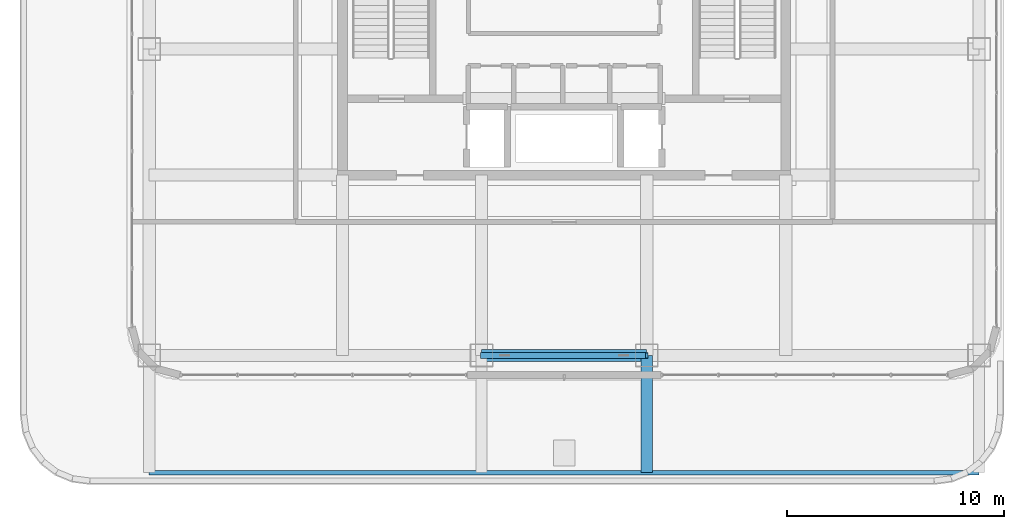
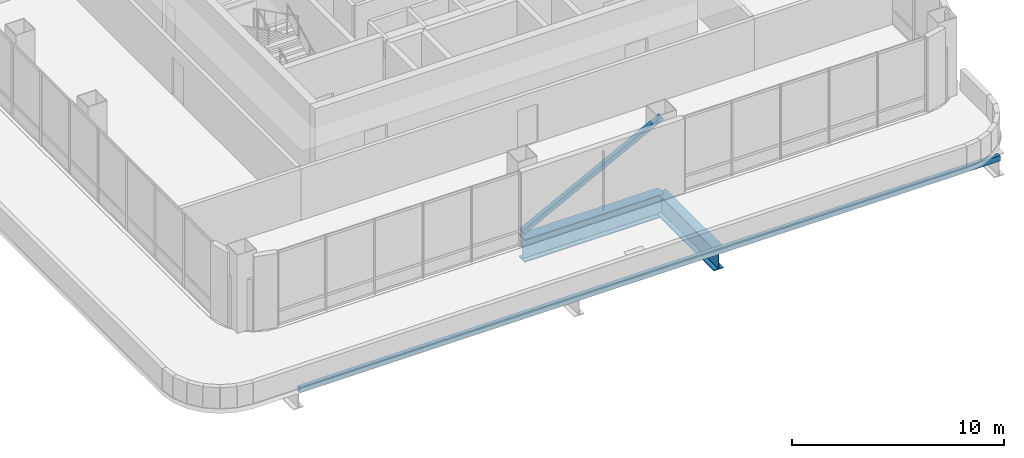
# One storey, part 6 of 33: 3 beams, 1 member.
"""IFC4 building model written with IfcOpenShell, lengths in metres."""

from ifc_helpers import new_model, si_unit, direction, frame, origin, origin_2d, place, context, subcontext, project, spatial, hollow_rectangle, i_section, extrude, material, material_profile, profile_set, type_object, element, save


model = new_model("IFC4")

# Units and contexts
model_context = context("Model", 3, precision=1e-05, world=origin(), true_north=direction((0.0, 1.0)))
body_context = subcontext(model_context, "Body", "Model", "MODEL_VIEW")
ifc_project = project(units=[si_unit("LENGTHUNIT", "METRE"), si_unit("AREAUNIT", "SQUARE_METRE"), si_unit("VOLUMEUNIT", "CUBIC_METRE"), si_unit("PLANEANGLEUNIT", "RADIAN"), si_unit("MASSUNIT", "GRAM", prefix="KILO")], contexts=[model_context])

# Site, building, storey
site_placement = place(None, origin())
site = spatial("IfcSite", under=ifc_project, at=site_placement, CompositionType="ELEMENT")
building_placement = place(site_placement, origin())
building = spatial("IfcBuilding", under=site, at=building_placement, Name="Punatoya Terracotta Tower", CompositionType="ELEMENT")
storey_placement = place(building_placement, frame((0.0, 0.0, 343.800048828125)))
storey = spatial("IfcBuildingStorey", under=building, at=storey_placement, Name="L81", CompositionType="ELEMENT", Elevation=343.800048828125)

# Beams
ifc_material_1 = material(Name="Steel S355", Category="steel")
ifc_material_profile_1 = material_profile(ifc_material_1, hollow_rectangle(XDim=0.199951171875, YDim=0.320068359375, WallThickness=0.01611328125, at=origin_2d()))
ifc_profile_set_1 = profile_set([ifc_material_profile_1], Name="Steel S355")
beam_type_1 = type_object("IfcBeamType", Name="BM-CRN-320", PredefinedType="BEAM", material=ifc_profile_set_1)
beam_1_placement = place(storey_placement, frame((-19.10009765625, -22.89990234375, -0.43994140625), z_axis=(1.0, 0.0, 0.0), x_axis=(0.0, 1.0, 0.0)))
element("IfcBeam", 1, at=beam_1_placement, inside=storey, type_object=beam_type_1, Name="BM-L81-OS", PredefinedType="BEAM", context=body_context, shape_type="SweptSolid", body=[
    extrude(hollow_rectangle(XDim=0.199951171875, YDim=0.320068359375, WallThickness=0.01611328125, at=origin_2d()), origin(), (0.0, 0.0, 1.0), 38.2001953125),
])
ifc_material_2 = material(Name="Steel S460", Category="steel")
ifc_material_profile_2 = material_profile(ifc_material_2, i_section(OverallWidth=0.56005859375, OverallDepth=1.320068359375, WebThickness=0.035888671875, FlangeThickness=0.054931640625, FilletRadius=0.01806640625, at=origin_2d()))
ifc_profile_set_2 = profile_set([ifc_material_profile_2], Name="Steel S460")
beam_type_2 = type_object("IfcBeamType", Name="BM-TG-BLK", PredefinedType="BEAM", material=ifc_profile_set_2)
beam_2_placement = place(storey_placement, frame((-3.800048828125, -17.5, -0.93994140625), z_axis=(1.0, 0.0, 0.0), x_axis=(0.0, 1.0, 0.0)))
element("IfcBeam", 2, at=beam_2_placement, inside=storey, type_object=beam_type_2, Name="BM-L81-RG-S2", PredefinedType="BEAM", context=body_context, shape_type="SweptSolid", body=[
    extrude(i_section(OverallWidth=0.56005859375, OverallDepth=1.320068359375, WebThickness=0.035888671875, FlangeThickness=0.054931640625, FilletRadius=0.01806640625, at=origin_2d()), origin(), (0.0, 0.0, 1.0), 7.60009765625),
])
ifc_material_profile_3 = material_profile(ifc_material_2, i_section(OverallWidth=0.52001953125, OverallDepth=1.280029296875, WebThickness=0.031982421875, FlangeThickness=0.050048828125, FilletRadius=0.01806640625, at=origin_2d()))
ifc_profile_set_3 = profile_set([ifc_material_profile_3], Name="Steel S460")
beam_type_3 = type_object("IfcBeamType", Name="BM-TG-NCK", PredefinedType="BEAM", material=ifc_profile_set_3)
beam_3_placement = place(storey_placement, frame((3.800048828125, -22.89990234375, -0.920166015625), z_axis=(0.0, 1.0, 0.0), x_axis=(-1.0, 0.0, 0.0)))
element("IfcBeam", 3, at=beam_3_placement, inside=storey, type_object=beam_type_3, Name="BM-L81-CS2", PredefinedType="BEAM", context=body_context, shape_type="SweptSolid", body=[
    extrude(i_section(OverallWidth=0.52001953125, OverallDepth=1.280029296875, WebThickness=0.031982421875, FlangeThickness=0.050048828125, FilletRadius=0.01806640625, at=origin_2d()), origin(), (0.0, 0.0, 1.0), 5.39990234375),
])

# Member
ifc_material_profile_4 = material_profile(ifc_material_1, hollow_rectangle(XDim=0.260009765625, YDim=0.260009765625, WallThickness=0.013916015625, at=origin_2d()))
ifc_profile_set_4 = profile_set([ifc_material_profile_4], Name="Steel S355")
member_type = type_object("IfcMemberType", Name="MEM-CRN-260", PredefinedType="BRACE", material=ifc_profile_set_4)
member_placement = place(storey_placement, frame((-3.800048828125, -17.5, 0.02001953125), z_axis=(0.886838693797, 0.0, 0.462079139524), x_axis=(0.0, 1.0, 0.0)))
element("IfcMember", 4, at=member_placement, inside=storey, type_object=member_type, Name="L81 Crown Frame Wind Brace S", PredefinedType="BRACE", context=body_context, shape_type="SweptSolid", body=[
    extrude(hollow_rectangle(XDim=0.260009765625, YDim=0.260009765625, WallThickness=0.013916015625, at=origin_2d()), origin(), (0.0, 0.0, 1.0), 8.56982421875),
])

save(model, "model.ifc")
